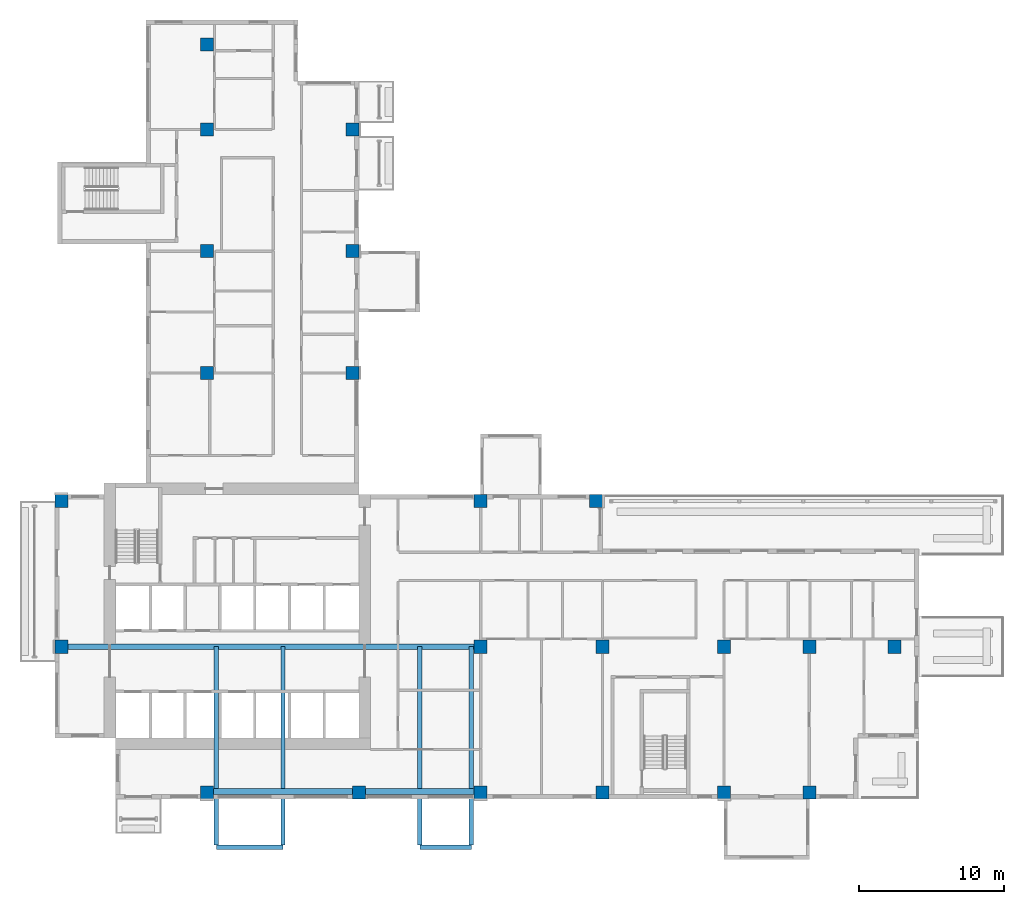
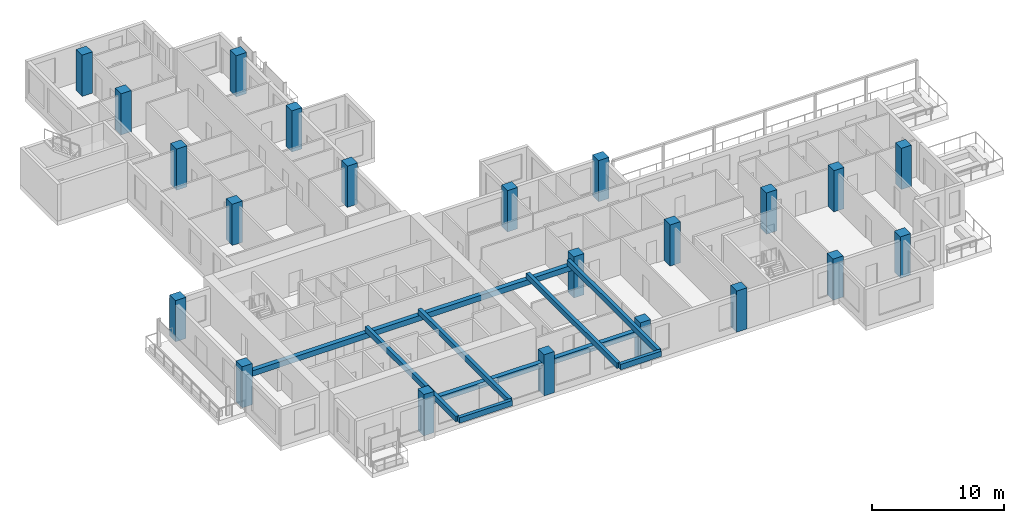
# One storey, part 1 of 15: 22 columns, 9 beams.
"""IFC4 building model written with IfcOpenShell, lengths in metres."""

from ifc_helpers import new_model, si_unit, direction, frame, origin, origin_2d, place, context, subcontext, project, spatial, rectangle, extrude, source, transform, mapped, material, material_profile, profile_set, type_object, element, save


model = new_model("IFC4")

# Units and contexts
model_context = context("Model", 3, precision=1e-05, world=origin(), true_north=direction((0.0, 1.0)))
body_context = subcontext(model_context, "Body", "Model", "MODEL_VIEW")
ifc_project = project(units=[si_unit("LENGTHUNIT", "METRE"), si_unit("AREAUNIT", "SQUARE_METRE"), si_unit("VOLUMEUNIT", "CUBIC_METRE"), si_unit("PLANEANGLEUNIT", "RADIAN"), si_unit("MASSUNIT", "GRAM", prefix="KILO")], contexts=[model_context])

# Site, building, storey
site_placement = place(None, origin())
site = spatial("IfcSite", under=ifc_project, at=site_placement, CompositionType="ELEMENT")
building_placement = place(site_placement, origin())
building = spatial("IfcBuilding", under=site, at=building_placement, Name="Aurelian Terraces", CompositionType="ELEMENT")
storey_placement = place(building_placement, frame((0.0, 0.0, 177.8)))
storey = spatial("IfcBuildingStorey", under=building, at=storey_placement, Name="L38", CompositionType="ELEMENT", Elevation=177.8)

# Columns
ifc_material_1 = material(Name="Concrete fc' 70 MPa", Category="concrete")
ifc_material_profile_1 = material_profile(ifc_material_1, rectangle(XDim=0.9, YDim=0.9, at=origin_2d()))
ifc_profile_set_1 = profile_set([ifc_material_profile_1], Name="Concrete fc' 70 MPa")
column_type = type_object("IfcColumnType", Name="RC COLUMN 900X900 FC70", PredefinedType="COLUMN", material=ifc_profile_set_1)
column_placement = place(storey_placement, frame((10.5, 0.45, 0.0), z_axis=(0.0, 0.0, 1.0), x_axis=(1.0, 0.0, 0.0)))
element("IfcColumn", 1, at=column_placement, inside=storey, type_object=column_type, Name="Column 2/A L38", PredefinedType="COLUMN", context=body_context, shape_type="SweptSolid", body=[
    extrude(rectangle(XDim=0.9, YDim=0.9, at=origin_2d()), origin(), (0.0, 0.0, 1.0), 3.8),
])
shared_shape_1 = source(origin(), body_context, "Body", "SweptSolid", [
    extrude(rectangle(XDim=0.9, YDim=0.9, at=origin_2d()), origin(), (0.0, 0.0, 1.0), 3.8),
])
for number, where, z_axis, x_axis, name in (
    (2, (21.0, 0.45, 0.0), (0.0, 0.0, 1.0), (1.0, 0.0, 0.0), "Column 3/A L38"),
    (3, (29.4, 0.45, 0.0), (0.0, 0.0, 1.0), (1.0, 0.0, 0.0), "Column 4/A L38"),
    (4, (37.8, 0.45, 0.0), (0.0, 0.0, 1.0), (1.0, 0.0, 0.0), "Column 5/A L38"),
    (5, (46.2, 0.45, 0.0), (0.0, 0.0, 1.0), (1.0, 0.0, 0.0), "Column 6/A L38"),
    (6, (52.08, 0.45, 0.0), (0.0, 0.0, 1.0), (1.0, 0.0, 0.0), "Column 7/A L38"),
    (7, (0.45, 10.5, 0.0), (0.0, 0.0, 1.0), (1.0, 0.0, 0.0), "Column 1/B L38"),
    (8, (29.4, 10.5, 0.0), (0.0, 0.0, 1.0), (1.0, 0.0, 0.0), "Column 4/B L38"),
    (9, (37.8, 10.5, 0.0), (0.0, 0.0, 1.0), (1.0, 0.0, 0.0), "Column 5/B L38"),
    (10, (46.2, 10.5, 0.0), (0.0, 0.0, 1.0), (1.0, 0.0, 0.0), "Column 6/B L38"),
    (11, (52.08, 10.5, 0.0), (0.0, 0.0, 1.0), (1.0, 0.0, 0.0), "Column 7/B L38"),
    (12, (57.96, 10.5, 0.0), (0.0, 0.0, 1.0), (1.0, 0.0, 0.0), "Column 8/B L38"),
    (13, (0.45, 20.55, 0.0), (0.0, 0.0, 1.0), (1.0, 0.0, 0.0), "Column 1/C L38"),
    (14, (29.4, 20.55, 0.0), (0.0, 0.0, 1.0), (1.0, 0.0, 0.0), "Column 4/C L38"),
    (15, (37.35, 20.55, 0.0), (0.0, 0.0, 1.0), (1.0, 0.0, 0.0), "Column 5/C L38"),
    (16, (10.5, 29.4, 0.0), (0.0, 0.0, 1.0), (1.0, 0.0, 0.0), "Column 2/D L38"),
    (17, (20.55, 29.4, 0.0), (0.0, 0.0, 1.0), (1.0, 0.0, 0.0), "Column 3/D L38"),
    (18, (10.5, 37.8, 0.0), (0.0, 0.0, 1.0), (1.0, 0.0, 0.0), "Column 2/E L38"),
    (19, (20.55, 37.8, 0.0), (0.0, 0.0, 1.0), (1.0, 0.0, 0.0), "Column 3/E L38"),
    (20, (10.5, 46.2, 0.0), (0.0, 0.0, 1.0), (1.0, 0.0, 0.0), "Column 2/F L38"),
    (21, (20.55, 46.2, 0.0), (0.0, 0.0, 1.0), (1.0, 0.0, 0.0), "Column 3/F L38"),
    (22, (10.5, 52.08, 0.0), (0.0, 0.0, 1.0), (1.0, 0.0, 0.0), "Column 2/G L38"),
):
    element("IfcColumn", number, at=place(storey_placement, frame(where, z_axis=z_axis, x_axis=x_axis)), inside=storey, type_object=column_type, Name=name, PredefinedType="COLUMN", context=body_context, shape_type="MappedRepresentation", body=[
        mapped(shared_shape_1, transform((0.0, 0.0, 0.0), scale=1.0)),
    ])

# Beams
ifc_material_2 = material(Name="Concrete fc' 40 MPa", Category="concrete")
ifc_material_profile_2 = material_profile(ifc_material_2, rectangle(XDim=0.3, YDim=0.5, at=origin_2d()))
ifc_profile_set_2 = profile_set([ifc_material_profile_2], Name="Concrete fc' 40 MPa")
beam_type_1 = type_object("IfcBeamType", Name="CONCRETE CANTILEVER BEAM 300X500", PredefinedType="BEAM", material=ifc_profile_set_2)
beam_1_placement = place(storey_placement, frame((11.15, -3.2, 3.15), z_axis=(0.0, 1.0, 0.0), x_axis=(-1.0, 0.0, 0.0)))
element("IfcBeam", 23, at=beam_1_placement, inside=storey, type_object=beam_type_1, Name="Box cantilever beam J54.1", PredefinedType="BEAM", context=body_context, shape_type="SweptSolid", body=[
    extrude(rectangle(XDim=0.3, YDim=0.5, at=origin_2d()), origin(), (0.0, 0.0, 1.0), 13.7),
])
beam_2_placement = place(storey_placement, frame((11.15, -3.35, 3.15), z_axis=(1.0, 0.0, 0.0), x_axis=(0.0, 1.0, 0.0)))
element("IfcBeam", 24, at=beam_2_placement, inside=storey, type_object=beam_type_1, Name="Box tip beam J54", PredefinedType="BEAM", context=body_context, shape_type="SweptSolid", body=[
    extrude(rectangle(XDim=0.3, YDim=0.5, at=origin_2d()), origin(), (0.0, 0.0, 1.0), 4.6),
])
beam_3_placement = place(storey_placement, frame((25.2, -3.35, 3.15), z_axis=(1.0, 0.0, 0.0), x_axis=(0.0, 1.0, 0.0)))
element("IfcBeam", 25, at=beam_3_placement, inside=storey, type_object=beam_type_1, Name="Box tip beam J55", PredefinedType="BEAM", context=body_context, shape_type="SweptSolid", body=[
    extrude(rectangle(XDim=0.3, YDim=0.5, at=origin_2d()), origin(), (0.0, 0.0, 1.0), 3.55),
])
ifc_material_profile_3 = material_profile(ifc_material_2, rectangle(XDim=0.4, YDim=0.5, at=origin_2d()))
ifc_profile_set_3 = profile_set([ifc_material_profile_3], Name="Concrete fc' 40 MPa")
beam_type_2 = type_object("IfcBeamType", Name="CONCRETE EDGE GIRDER 400X500", PredefinedType="BEAM", material=ifc_profile_set_3)
beam_4_placement = place(storey_placement, frame((10.95, 0.5, 2.65), z_axis=(1.0, 0.0, 0.0), x_axis=(0.0, 1.0, 0.0)))
element("IfcBeam", 26, at=beam_4_placement, inside=storey, type_object=beam_type_2, Name="Box girder L38 O111", PredefinedType="BEAM", context=body_context, shape_type="SweptSolid", body=[
    extrude(rectangle(XDim=0.4, YDim=0.5, at=origin_2d()), origin(), (0.0, 0.0, 1.0), 9.6),
])
beam_5_placement = place(storey_placement, frame((0.9, 10.5, 2.65), z_axis=(1.0, 0.0, 0.0), x_axis=(0.0, 1.0, 0.0)))
element("IfcBeam", 27, at=beam_5_placement, inside=storey, type_object=beam_type_2, Name="Box girder L38 I112", PredefinedType="BEAM", context=body_context, shape_type="SweptSolid", body=[
    extrude(rectangle(XDim=0.4, YDim=0.5, at=origin_2d()), origin(), (0.0, 0.0, 1.0), 28.05),
])
beam_6_placement = place(storey_placement, frame((21.45, 0.5, 2.65), z_axis=(1.0, 0.0, 0.0), x_axis=(0.0, 1.0, 0.0)))
element("IfcBeam", 28, at=beam_6_placement, inside=storey, type_object=beam_type_2, Name="Box girder L38 O113", PredefinedType="BEAM", context=body_context, shape_type="SweptSolid", body=[
    extrude(rectangle(XDim=0.4, YDim=0.5, at=origin_2d()), origin(), (0.0, 0.0, 1.0), 7.5),
])
shared_shape_2 = source(origin(), body_context, "Body", "SweptSolid", [
    extrude(rectangle(XDim=0.3, YDim=0.5, at=origin_2d()), origin(), (0.0, 0.0, 1.0), 13.7),
])
for number, where, z_axis, x_axis, name in (
    (29, (15.75, -3.2, 3.15), (0.0, 1.0, 0.0), (-1.0, 0.0, 0.0), "Box cantilever beam J54.2"),
    (30, (25.2, -3.2, 3.15), (0.0, 1.0, 0.0), (-1.0, 0.0, 0.0), "Box cantilever beam J55.1"),
    (31, (28.75, -3.2, 3.15), (0.0, 1.0, 0.0), (-1.0, 0.0, 0.0), "Box cantilever beam J55.2"),
):
    element("IfcBeam", number, at=place(storey_placement, frame(where, z_axis=z_axis, x_axis=x_axis)), inside=storey, type_object=beam_type_1, Name=name, PredefinedType="BEAM", context=body_context, shape_type="MappedRepresentation", body=[
        mapped(shared_shape_2, transform((0.0, 0.0, 0.0), scale=1.0)),
    ])

save(model, "model.ifc")
